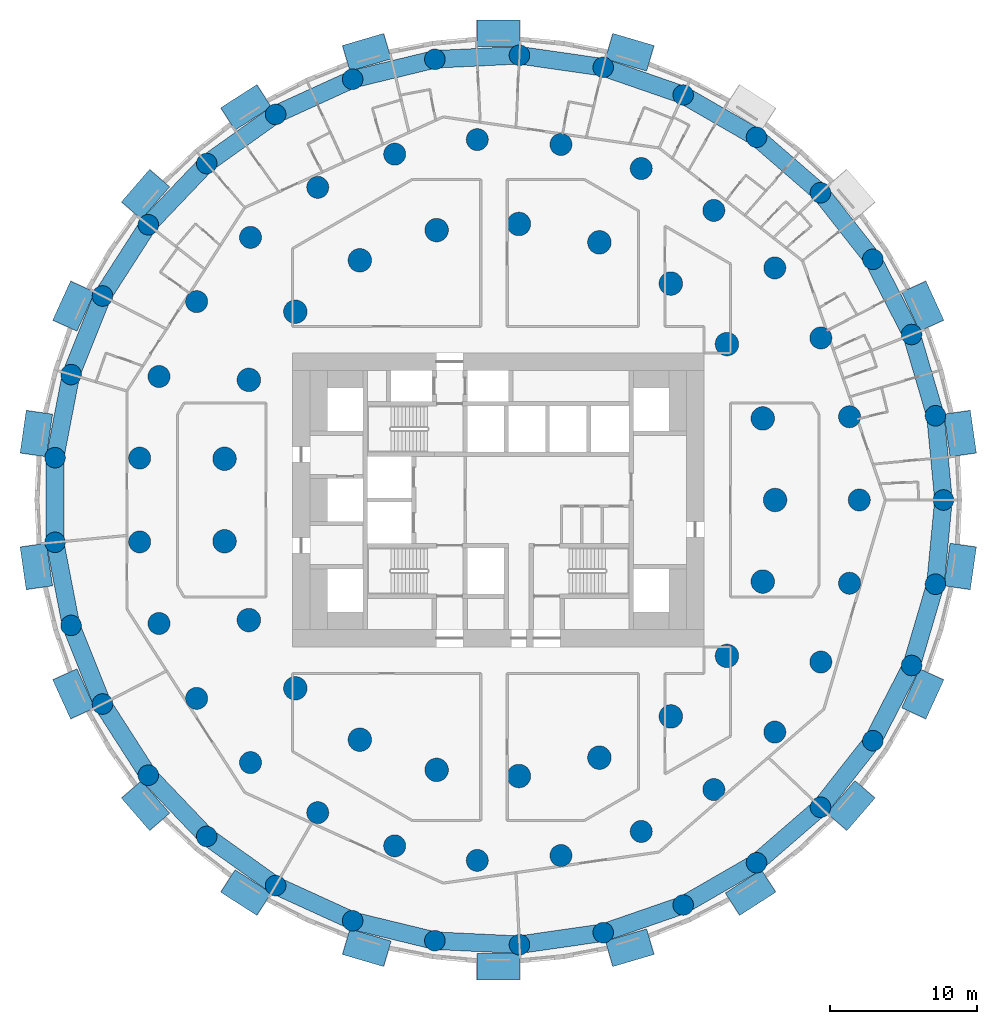
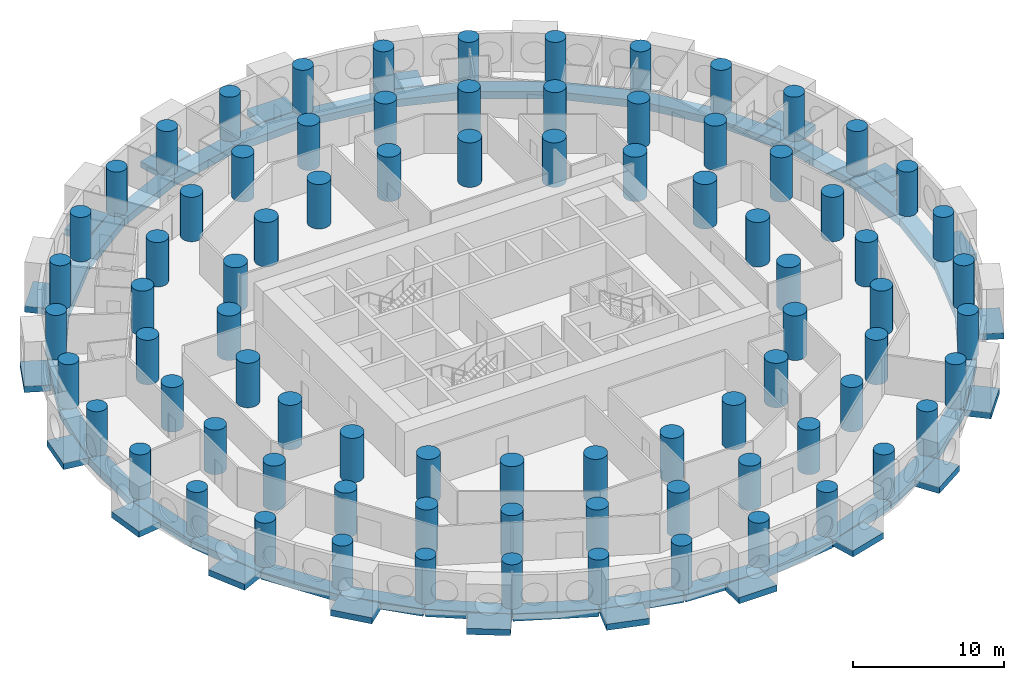
# One storey, part 1 of 12: 81 columns, 53 beams.
"""IFC4 building model written with IfcOpenShell, lengths in metres."""

from ifc_helpers import new_model, si_unit, direction, frame, origin, origin_2d, place, context, subcontext, project, spatial, rectangle, circle, extrude, material, material_profile, profile_set, type_object, element, save


model = new_model("IFC4")

# Units and contexts
model_context = context("Model", 3, precision=1e-05, world=origin(), true_north=direction((0.0, 1.0)))
body_context = subcontext(model_context, "Body", "Model", "MODEL_VIEW")
ifc_project = project(units=[si_unit("LENGTHUNIT", "METRE"), si_unit("AREAUNIT", "SQUARE_METRE"), si_unit("VOLUMEUNIT", "CUBIC_METRE"), si_unit("PLANEANGLEUNIT", "RADIAN"), si_unit("MASSUNIT", "GRAM", prefix="KILO")], contexts=[model_context])

# Site, building, storey
site_placement = place(None, origin())
site = spatial("IfcSite", under=ifc_project, at=site_placement, CompositionType="ELEMENT")
building_placement = place(site_placement, origin())
building = spatial("IfcBuilding", under=site, at=building_placement, Name="Tracery Tower", CompositionType="ELEMENT")
storey_placement = place(building_placement, frame((0.0, 0.0, 46.199951171875)))
storey = spatial("IfcBuildingStorey", under=building, at=storey_placement, Name="L10", CompositionType="ELEMENT", Elevation=46.199951171875)

# Columns
ifc_material_1 = material(Name="Concrete C60/75", Category="concrete")
ifc_material_profile_1 = material_profile(ifc_material_1, circle(Radius=0.699951171875, at=origin_2d()), Name="RC D1400")
ifc_profile_set_1 = profile_set([ifc_material_profile_1], Name="Concrete C60/75")
column_type_1 = type_object("IfcColumnType", Name="Ring 0 column 1400", PredefinedType="COLUMN", material=ifc_profile_set_1)
for number, where, z_axis, x_axis, name in (
    (1, (30.274658203125, 0.0, 0.0), (0.0, 0.0, 1.0), (1.0, 0.0, 0.0), "Ring 0 column 00 at L10"),
    (2, (29.7275390625, 5.7294921875, 0.0), (0.0, 0.0, 1.0), (1.0, 0.0, 0.0), "Ring 0 column 01 at L10"),
    (3, (28.10595703125, 11.251953125, 0.0), (0.0, 0.0, 1.0), (1.0, 0.0, 0.0), "Ring 0 column 02 at L10"),
    (4, (25.468505859375, 16.36767578125, 0.0), (0.0, 0.0, 1.0), (1.0, 0.0, 0.0), "Ring 0 column 03 at L10"),
    (5, (21.910888671875, 20.891845703125, 0.0), (0.0, 0.0, 1.0), (1.0, 0.0, 0.0), "Ring 0 column 04 at L10"),
    (6, (17.56103515625, 24.660888671875, 0.0), (0.0, 0.0, 1.0), (1.0, 0.0, 0.0), "Ring 0 column 05 at L10"),
    (7, (12.576416015625, 27.538818359375, 0.0), (0.0, 0.0, 1.0), (1.0, 0.0, 0.0), "Ring 0 column 06 at L10"),
    (8, (7.137451171875, 29.421142578125, 0.0), (0.0, 0.0, 1.0), (1.0, 0.0, 0.0), "Ring 0 column 07 at L10"),
    (9, (1.4404296875, 30.240234375, 0.0), (0.0, 0.0, 1.0), (1.0, 0.0, 0.0), "Ring 0 column 08 at L10"),
    (10, (-4.30859375, 29.96630859375, 0.0), (0.0, 0.0, 1.0), (1.0, 0.0, 0.0), "Ring 0 column 09 at L10"),
    (11, (-9.90185546875, 28.609619140625, 0.0), (0.0, 0.0, 1.0), (1.0, 0.0, 0.0), "Ring 0 column 10 at L10"),
    (12, (-15.13720703125, 26.218505859375, 0.0), (0.0, 0.0, 1.0), (1.0, 0.0, 0.0), "Ring 0 column 11 at L10"),
    (13, (-19.82568359375, 22.8798828125, 0.0), (0.0, 0.0, 1.0), (1.0, 0.0, 0.0), "Ring 0 column 12 at L10"),
    (14, (-23.79736328125, 18.714599609375, 0.0), (0.0, 0.0, 1.0), (1.0, 0.0, 0.0), "Ring 0 column 13 at L10"),
    (15, (-26.9091796875, 13.87255859375, 0.0), (0.0, 0.0, 1.0), (1.0, 0.0, 0.0), "Ring 0 column 14 at L10"),
    (16, (-29.04833984375, 8.529296875, 0.0), (0.0, 0.0, 1.0), (1.0, 0.0, 0.0), "Ring 0 column 15 at L10"),
    (17, (-30.137451171875, 2.877685546875, 0.0), (0.0, 0.0, 1.0), (1.0, 0.0, 0.0), "Ring 0 column 16 at L10"),
    (18, (-30.137451171875, -2.877685546875, 0.0), (0.0, 0.0, 1.0), (1.0, 0.0, 0.0), "Ring 0 column 17 at L10"),
    (19, (-29.04833984375, -8.529296875, 0.0), (0.0, 0.0, 1.0), (1.0, 0.0, 0.0), "Ring 0 column 18 at L10"),
    (20, (-26.9091796875, -13.87255859375, 0.0), (0.0, 0.0, 1.0), (1.0, 0.0, 0.0), "Ring 0 column 19 at L10"),
    (21, (-23.79736328125, -18.714599609375, 0.0), (0.0, 0.0, 1.0), (1.0, 0.0, 0.0), "Ring 0 column 20 at L10"),
    (22, (-19.82568359375, -22.8798828125, 0.0), (0.0, 0.0, 1.0), (1.0, 0.0, 0.0), "Ring 0 column 21 at L10"),
    (23, (-15.13720703125, -26.218505859375, 0.0), (0.0, 0.0, 1.0), (1.0, 0.0, 0.0), "Ring 0 column 22 at L10"),
    (24, (-9.90185546875, -28.609619140625, 0.0), (0.0, 0.0, 1.0), (1.0, 0.0, 0.0), "Ring 0 column 23 at L10"),
    (25, (-4.30859375, -29.96630859375, 0.0), (0.0, 0.0, 1.0), (1.0, 0.0, 0.0), "Ring 0 column 24 at L10"),
    (26, (1.4404296875, -30.240234375, 0.0), (0.0, 0.0, 1.0), (1.0, 0.0, 0.0), "Ring 0 column 25 at L10"),
    (27, (7.137451171875, -29.421142578125, 0.0), (0.0, 0.0, 1.0), (1.0, 0.0, 0.0), "Ring 0 column 26 at L10"),
    (28, (12.576416015625, -27.538818359375, 0.0), (0.0, 0.0, 1.0), (1.0, 0.0, 0.0), "Ring 0 column 27 at L10"),
    (29, (17.56103515625, -24.660888671875, 0.0), (0.0, 0.0, 1.0), (1.0, 0.0, 0.0), "Ring 0 column 28 at L10"),
    (30, (21.910888671875, -20.891845703125, 0.0), (0.0, 0.0, 1.0), (1.0, 0.0, 0.0), "Ring 0 column 29 at L10"),
    (31, (25.468505859375, -16.36767578125, 0.0), (0.0, 0.0, 1.0), (1.0, 0.0, 0.0), "Ring 0 column 30 at L10"),
    (32, (28.10595703125, -11.251953125, 0.0), (0.0, 0.0, 1.0), (1.0, 0.0, 0.0), "Ring 0 column 31 at L10"),
    (33, (29.7275390625, -5.7294921875, 0.0), (0.0, 0.0, 1.0), (1.0, 0.0, 0.0), "Ring 0 column 32 at L10"),
):
    element("IfcColumn", number, at=place(storey_placement, frame(where, z_axis=z_axis, x_axis=x_axis)), inside=storey, type_object=column_type_1, Name=name, PredefinedType="COLUMN", context=body_context, shape_type="SweptSolid", body=[
        extrude(circle(Radius=0.699951171875, at=origin_2d()), origin(), (0.0, 0.0, 1.0), 3.60009765625),
    ])
ifc_material_2 = material(Name="Concrete C60/75", Category="concrete")
ifc_material_profile_2 = material_profile(ifc_material_2, circle(Radius=0.75, at=origin_2d()), Name="RC D1500")
ifc_profile_set_2 = profile_set([ifc_material_profile_2], Name="Concrete C60/75")
column_type_2 = type_object("IfcColumnType", Name="Ring 1 column 1500", PredefinedType="COLUMN", material=ifc_profile_set_2)
for number, where, z_axis, x_axis, name in (
    (34, (24.547607421875, 0.0, 0.0), (0.0, 0.0, 1.0), (1.0, 0.0, 0.0), "Ring 1 column 00 at L10"),
    (35, (23.885986328125, 5.6611328125, 0.0), (0.0, 0.0, 1.0), (1.0, 0.0, 0.0), "Ring 1 column 01 at L10"),
    (36, (21.9365234375, 11.01708984375, 0.0), (0.0, 0.0, 1.0), (1.0, 0.0, 0.0), "Ring 1 column 02 at L10"),
    (37, (18.8046875, 15.779052734375, 0.0), (0.0, 0.0, 1.0), (1.0, 0.0, 0.0), "Ring 1 column 03 at L10"),
    (38, (14.658935546875, 19.690185546875, 0.0), (0.0, 0.0, 1.0), (1.0, 0.0, 0.0), "Ring 1 column 04 at L10"),
    (39, (9.722900390625, 22.5400390625, 0.0), (0.0, 0.0, 1.0), (1.0, 0.0, 0.0), "Ring 1 column 05 at L10"),
    (40, (4.2626953125, 24.1748046875, 0.0), (0.0, 0.0, 1.0), (1.0, 0.0, 0.0), "Ring 1 column 06 at L10"),
    (41, (-1.42724609375, 24.506103515625, 0.0), (0.0, 0.0, 1.0), (1.0, 0.0, 0.0), "Ring 1 column 07 at L10"),
    (42, (-7.040283203125, 23.516357421875, 0.0), (0.0, 0.0, 1.0), (1.0, 0.0, 0.0), "Ring 1 column 08 at L10"),
    (43, (-12.273681640625, 21.2587890625, 0.0), (0.0, 0.0, 1.0), (1.0, 0.0, 0.0), "Ring 1 column 09 at L10"),
    (44, (-16.845703125, 17.855224609375, 0.0), (0.0, 0.0, 1.0), (1.0, 0.0, 0.0), "Ring 1 column 10 at L10"),
    (45, (-20.50927734375, 13.4892578125, 0.0), (0.0, 0.0, 1.0), (1.0, 0.0, 0.0), "Ring 1 column 11 at L10"),
    (46, (-23.0673828125, 8.395751953125, 0.0), (0.0, 0.0, 1.0), (1.0, 0.0, 0.0), "Ring 1 column 12 at L10"),
    (47, (-24.381591796875, 2.849853515625, 0.0), (0.0, 0.0, 1.0), (1.0, 0.0, 0.0), "Ring 1 column 13 at L10"),
    (48, (-24.381591796875, -2.849853515625, 0.0), (0.0, 0.0, 1.0), (1.0, 0.0, 0.0), "Ring 1 column 14 at L10"),
    (49, (-23.0673828125, -8.395751953125, 0.0), (0.0, 0.0, 1.0), (1.0, 0.0, 0.0), "Ring 1 column 15 at L10"),
    (50, (-20.50927734375, -13.4892578125, 0.0), (0.0, 0.0, 1.0), (1.0, 0.0, 0.0), "Ring 1 column 16 at L10"),
    (51, (-16.845703125, -17.85546875, 0.0), (0.0, 0.0, 1.0), (1.0, 0.0, 0.0), "Ring 1 column 17 at L10"),
    (52, (-12.27392578125, -21.2587890625, 0.0), (0.0, 0.0, 1.0), (1.0, 0.0, 0.0), "Ring 1 column 18 at L10"),
    (53, (-7.040283203125, -23.516357421875, 0.0), (0.0, 0.0, 1.0), (1.0, 0.0, 0.0), "Ring 1 column 19 at L10"),
    (54, (-1.42724609375, -24.506103515625, 0.0), (0.0, 0.0, 1.0), (1.0, 0.0, 0.0), "Ring 1 column 20 at L10"),
    (55, (4.2626953125, -24.1748046875, 0.0), (0.0, 0.0, 1.0), (1.0, 0.0, 0.0), "Ring 1 column 21 at L10"),
    (56, (9.722900390625, -22.5400390625, 0.0), (0.0, 0.0, 1.0), (1.0, 0.0, 0.0), "Ring 1 column 22 at L10"),
    (57, (14.658935546875, -19.690185546875, 0.0), (0.0, 0.0, 1.0), (1.0, 0.0, 0.0), "Ring 1 column 23 at L10"),
    (58, (18.8046875, -15.779052734375, 0.0), (0.0, 0.0, 1.0), (1.0, 0.0, 0.0), "Ring 1 column 24 at L10"),
    (59, (21.9365234375, -11.01708984375, 0.0), (0.0, 0.0, 1.0), (1.0, 0.0, 0.0), "Ring 1 column 25 at L10"),
    (60, (23.885986328125, -5.6611328125, 0.0), (0.0, 0.0, 1.0), (1.0, 0.0, 0.0), "Ring 1 column 26 at L10"),
):
    element("IfcColumn", number, at=place(storey_placement, frame(where, z_axis=z_axis, x_axis=x_axis)), inside=storey, type_object=column_type_2, Name=name, PredefinedType="COLUMN", context=body_context, shape_type="SweptSolid", body=[
        extrude(circle(Radius=0.75, at=origin_2d()), origin(), (0.0, 0.0, 1.0), 3.60009765625),
    ])
ifc_material_3 = material(Name="Concrete C60/75", Category="concrete")
ifc_material_profile_3 = material_profile(ifc_material_3, circle(Radius=0.800048828125, at=origin_2d()), Name="RC D1600")
ifc_profile_set_3 = profile_set([ifc_material_profile_3], Name="Concrete C60/75")
column_type_3 = type_object("IfcColumnType", Name="Ring 2 column 1600", PredefinedType="COLUMN", material=ifc_profile_set_3)
for number, where, z_axis, x_axis, name in (
    (61, (18.822265625, 0.0, 0.0), (0.0, 0.0, 1.0), (1.0, 0.0, 0.0), "Ring 2 column 00 at L10"),
    (62, (17.986083984375, 5.5478515625, 0.0), (0.0, 0.0, 1.0), (1.0, 0.0, 0.0), "Ring 2 column 01 at L10"),
    (63, (15.551513671875, 10.602783203125, 0.0), (0.0, 0.0, 1.0), (1.0, 0.0, 0.0), "Ring 2 column 02 at L10"),
    (64, (11.7353515625, 14.7158203125, 0.0), (0.0, 0.0, 1.0), (1.0, 0.0, 0.0), "Ring 2 column 03 at L10"),
    (65, (6.87646484375, 17.52099609375, 0.0), (0.0, 0.0, 1.0), (1.0, 0.0, 0.0), "Ring 2 column 04 at L10"),
    (66, (1.406494140625, 18.76953125, 0.0), (0.0, 0.0, 1.0), (1.0, 0.0, 0.0), "Ring 2 column 05 at L10"),
    (67, (-4.188232421875, 18.350341796875, 0.0), (0.0, 0.0, 1.0), (1.0, 0.0, 0.0), "Ring 2 column 06 at L10"),
    (68, (-9.4111328125, 16.300537109375, 0.0), (0.0, 0.0, 1.0), (1.0, 0.0, 0.0), "Ring 2 column 07 at L10"),
    (69, (-13.797607421875, 12.802490234375, 0.0), (0.0, 0.0, 1.0), (1.0, 0.0, 0.0), "Ring 2 column 08 at L10"),
    (70, (-16.958251953125, 8.16650390625, 0.0), (0.0, 0.0, 1.0), (1.0, 0.0, 0.0), "Ring 2 column 09 at L10"),
    (71, (-18.612060546875, 2.805419921875, 0.0), (0.0, 0.0, 1.0), (1.0, 0.0, 0.0), "Ring 2 column 10 at L10"),
    (72, (-18.612060546875, -2.805419921875, 0.0), (0.0, 0.0, 1.0), (1.0, 0.0, 0.0), "Ring 2 column 11 at L10"),
    (73, (-16.958251953125, -8.166748046875, 0.0), (0.0, 0.0, 1.0), (1.0, 0.0, 0.0), "Ring 2 column 12 at L10"),
    (74, (-13.797607421875, -12.80224609375, 0.0), (0.0, 0.0, 1.0), (1.0, 0.0, 0.0), "Ring 2 column 13 at L10"),
    (75, (-9.4111328125, -16.300537109375, 0.0), (0.0, 0.0, 1.0), (1.0, 0.0, 0.0), "Ring 2 column 14 at L10"),
    (76, (-4.188232421875, -18.350341796875, 0.0), (0.0, 0.0, 1.0), (1.0, 0.0, 0.0), "Ring 2 column 15 at L10"),
    (77, (1.406494140625, -18.76953125, 0.0), (0.0, 0.0, 1.0), (1.0, 0.0, 0.0), "Ring 2 column 16 at L10"),
    (78, (6.87646484375, -17.52099609375, 0.0), (0.0, 0.0, 1.0), (1.0, 0.0, 0.0), "Ring 2 column 17 at L10"),
    (79, (11.7353515625, -14.7158203125, 0.0), (0.0, 0.0, 1.0), (1.0, 0.0, 0.0), "Ring 2 column 18 at L10"),
    (80, (15.551513671875, -10.602783203125, 0.0), (0.0, 0.0, 1.0), (1.0, 0.0, 0.0), "Ring 2 column 19 at L10"),
    (81, (17.986083984375, -5.5478515625, 0.0), (0.0, 0.0, 1.0), (1.0, 0.0, 0.0), "Ring 2 column 20 at L10"),
):
    element("IfcColumn", number, at=place(storey_placement, frame(where, z_axis=z_axis, x_axis=x_axis)), inside=storey, type_object=column_type_3, Name=name, PredefinedType="COLUMN", context=body_context, shape_type="SweptSolid", body=[
        extrude(circle(Radius=0.800048828125, at=origin_2d()), origin(), (0.0, 0.0, 1.0), 3.60009765625),
    ])

# Beams
ifc_material_4 = material(Name="Concrete C60/75", Category="concrete")
ifc_material_profile_4 = material_profile(ifc_material_4, rectangle(XDim=1.81005859375, YDim=0.5, at=origin_2d()), Name="RC 1810x500")
ifc_profile_set_4 = profile_set([ifc_material_profile_4], Name="Concrete C60/75")
beam_type_1 = type_object("IfcBeamType", Name="Bay seat beam 1810 x 500", PredefinedType="BEAM", material=ifc_profile_set_4)
beam_1_placement = place(storey_placement, frame((31.61865234375, 3.071044921875, -0.699951171875), z_axis=(-0.142299174504, 0.989823693864, 0.0), x_axis=(-0.989823693864, -0.142299174504, 0.0)))
element("IfcBeam", 82, at=beam_1_placement, inside=storey, type_object=beam_type_1, Name="Bay seat beam 2 at L10", PredefinedType="BEAM", context=body_context, shape_type="SweptSolid", body=[
    extrude(rectangle(XDim=1.81005859375, YDim=0.5, at=origin_2d()), origin(), (0.0, 0.0, 1.0), 2.920166015625),
])
beam_2_placement = place(storey_placement, frame((29.47265625, 11.854736328125, -0.699951171875), z_axis=(-0.415396137257, 0.909640615382, 0.0), x_axis=(-0.909640615382, -0.415396137257, 0.0)))
element("IfcBeam", 83, at=beam_2_placement, inside=storey, type_object=beam_type_1, Name="Bay seat beam 5 at L10", PredefinedType="BEAM", context=body_context, shape_type="SweptSolid", body=[
    extrude(rectangle(XDim=1.81005859375, YDim=0.5, at=origin_2d()), origin(), (0.0, 0.0, 1.0), 2.919921875),
])
beam_3_placement = place(storey_placement, frame((10.34130859375, 30.037109375, -0.699951171875), z_axis=(-0.959485235434, 0.281758909325, 0.0), x_axis=(-0.281758909325, -0.959485235434, 0.0)))
element("IfcBeam", 84, at=beam_3_placement, inside=storey, type_object=beam_type_1, Name="Bay seat beam 14 at L10", PredefinedType="BEAM", context=body_context, shape_type="SweptSolid", body=[
    extrude(rectangle(XDim=1.81005859375, YDim=0.5, at=origin_2d()), origin(), (0.0, 0.0, 1.0), 2.920166015625),
])
beam_4_placement = place(storey_placement, frame((1.4599609375, 31.73388671875, -0.699951171875), z_axis=(-1.0, 0.0, 0.0), x_axis=(0.0, -1.0, 0.0)))
element("IfcBeam", 85, at=beam_4_placement, inside=storey, type_object=beam_type_1, Name="Bay seat beam 17 at L10", PredefinedType="BEAM", context=body_context, shape_type="SweptSolid", body=[
    extrude(rectangle(XDim=1.81005859375, YDim=0.5, at=origin_2d()), origin(), (0.0, 0.0, 1.0), 2.919921875),
])
beam_5_placement = place(storey_placement, frame((-7.53955078125, 30.85986328125, -0.699951171875), z_axis=(-0.959485235434, -0.281758909325, 0.0), x_axis=(0.281758909325, -0.959485235434, 0.0)))
element("IfcBeam", 86, at=beam_5_placement, inside=storey, type_object=beam_type_1, Name="Bay seat beam 20 at L10", PredefinedType="BEAM", context=body_context, shape_type="SweptSolid", body=[
    extrude(rectangle(XDim=1.81005859375, YDim=0.5, at=origin_2d()), origin(), (0.0, 0.0, 1.0), 2.920166015625),
])
for number, where, z_axis, x_axis, name in (
    (87, (-15.928466796875, 27.485595703125, -0.699951171875), (-0.84124638673, -0.540651936845, 0.0), (0.540651936845, -0.84124638673, 0.0), "Bay seat beam 23 at L10"),
    (88, (-23.02685546875, 21.884765625, -0.699951171875), (-0.65484458844, -0.755763564212, 0.0), (0.755763564212, -0.65484458844, 0.0), "Bay seat beam 26 at L10"),
    (89, (-28.259765625, 14.5107421875, -0.699951171875), (-0.415396137257, -0.909640615382, 0.0), (0.909640615382, -0.415396137257, 0.0), "Bay seat beam 29 at L10"),
):
    element("IfcBeam", number, at=place(storey_placement, frame(where, z_axis=z_axis, x_axis=x_axis)), inside=storey, type_object=beam_type_1, Name=name, PredefinedType="BEAM", context=body_context, shape_type="SweptSolid", body=[
        extrude(rectangle(XDim=1.81005859375, YDim=0.5, at=origin_2d()), origin(), (0.0, 0.0, 1.0), 2.919921875),
    ])
for number, where, z_axis, x_axis, name in (
    (90, (-31.203125, 5.96142578125, -0.699951171875), (-0.142299174504, -0.989823693864, 0.0), (0.989823693864, -0.142299174504, 0.0), "Bay seat beam 32 at L10"),
    (91, (-31.61865234375, -3.071044921875, -0.699951171875), (0.142299174504, -0.989823693864, 0.0), (0.989823693864, 0.142299174504, 0.0), "Bay seat beam 35 at L10"),
):
    element("IfcBeam", number, at=place(storey_placement, frame(where, z_axis=z_axis, x_axis=x_axis)), inside=storey, type_object=beam_type_1, Name=name, PredefinedType="BEAM", context=body_context, shape_type="SweptSolid", body=[
        extrude(rectangle(XDim=1.81005859375, YDim=0.5, at=origin_2d()), origin(), (0.0, 0.0, 1.0), 2.920166015625),
    ])
for number, where, z_axis, x_axis, name in (
    (92, (-29.47265625, -11.854736328125, -0.699951171875), (0.415396137257, -0.909640615382, 0.0), (0.909640615382, 0.415396137257, 0.0), "Bay seat beam 38 at L10"),
    (93, (-24.93896484375, -19.677978515625, -0.699951171875), (0.65484458844, -0.755763564212, 0.0), (0.755763564212, 0.65484458844, 0.0), "Bay seat beam 41 at L10"),
    (94, (-18.384765625, -25.906982421875, -0.699951171875), (0.84124638673, -0.540651936845, 0.0), (0.540651936845, 0.84124638673, 0.0), "Bay seat beam 44 at L10"),
):
    element("IfcBeam", number, at=place(storey_placement, frame(where, z_axis=z_axis, x_axis=x_axis)), inside=storey, type_object=beam_type_1, Name=name, PredefinedType="BEAM", context=body_context, shape_type="SweptSolid", body=[
        extrude(rectangle(XDim=1.81005859375, YDim=0.5, at=origin_2d()), origin(), (0.0, 0.0, 1.0), 2.919921875),
    ])
beam_6_placement = place(storey_placement, frame((-10.34130859375, -30.037109375, -0.699951171875), z_axis=(0.959485235434, -0.281758909325, 0.0), x_axis=(0.281758909325, 0.959485235434, 0.0)))
element("IfcBeam", 95, at=beam_6_placement, inside=storey, type_object=beam_type_1, Name="Bay seat beam 47 at L10", PredefinedType="BEAM", context=body_context, shape_type="SweptSolid", body=[
    extrude(rectangle(XDim=1.81005859375, YDim=0.5, at=origin_2d()), origin(), (0.0, 0.0, 1.0), 2.920166015625),
])
beam_7_placement = place(storey_placement, frame((-1.4599609375, -31.73388671875, -0.699951171875), z_axis=(1.0, 0.0, 0.0), x_axis=(0.0, 1.0, 0.0)))
element("IfcBeam", 96, at=beam_7_placement, inside=storey, type_object=beam_type_1, Name="Bay seat beam 50 at L10", PredefinedType="BEAM", context=body_context, shape_type="SweptSolid", body=[
    extrude(rectangle(XDim=1.81005859375, YDim=0.5, at=origin_2d()), origin(), (0.0, 0.0, 1.0), 2.919921875),
])
beam_8_placement = place(storey_placement, frame((7.53955078125, -30.85986328125, -0.699951171875), z_axis=(0.959485235434, 0.281758909325, 0.0), x_axis=(-0.281758909325, 0.959485235434, 0.0)))
element("IfcBeam", 97, at=beam_8_placement, inside=storey, type_object=beam_type_1, Name="Bay seat beam 53 at L10", PredefinedType="BEAM", context=body_context, shape_type="SweptSolid", body=[
    extrude(rectangle(XDim=1.81005859375, YDim=0.5, at=origin_2d()), origin(), (0.0, 0.0, 1.0), 2.920166015625),
])
for number, where, z_axis, x_axis, name in (
    (98, (15.928466796875, -27.485595703125, -0.699951171875), (0.84124638673, 0.540651936845, 0.0), (-0.540651936845, 0.84124638673, 0.0), "Bay seat beam 56 at L10"),
    (99, (23.02685546875, -21.884765625, -0.699951171875), (0.65484458844, 0.755763564212, 0.0), (-0.755763564212, 0.65484458844, 0.0), "Bay seat beam 59 at L10"),
    (100, (28.259765625, -14.5107421875, -0.699951171875), (0.415396137257, 0.909640615382, 0.0), (-0.909640615382, 0.415396137257, 0.0), "Bay seat beam 62 at L10"),
):
    element("IfcBeam", number, at=place(storey_placement, frame(where, z_axis=z_axis, x_axis=x_axis)), inside=storey, type_object=beam_type_1, Name=name, PredefinedType="BEAM", context=body_context, shape_type="SweptSolid", body=[
        extrude(rectangle(XDim=1.81005859375, YDim=0.5, at=origin_2d()), origin(), (0.0, 0.0, 1.0), 2.919921875),
    ])
beam_9_placement = place(storey_placement, frame((31.203125, -5.96142578125, -0.699951171875), z_axis=(0.142299174504, 0.989823693864, 0.0), x_axis=(-0.989823693864, 0.142299174504, 0.0)))
element("IfcBeam", 101, at=beam_9_placement, inside=storey, type_object=beam_type_1, Name="Bay seat beam 65 at L10", PredefinedType="BEAM", context=body_context, shape_type="SweptSolid", body=[
    extrude(rectangle(XDim=1.81005859375, YDim=0.5, at=origin_2d()), origin(), (0.0, 0.0, 1.0), 2.920166015625),
])
ifc_material_5 = material(Name="Concrete C60/75", Category="concrete")
ifc_material_profile_5 = material_profile(ifc_material_5, rectangle(XDim=1.199951171875, YDim=0.60009765625, at=origin_2d()), Name="RC 1200x600")
ifc_profile_set_5 = profile_set([ifc_material_profile_5], Name="Concrete C60/75")
beam_type_2 = type_object("IfcBeamType", Name="Perimeter band beam 1200x600", PredefinedType="BEAM", material=ifc_profile_set_5)
for number, where, z_axis, x_axis, name in (
    (102, (30.274658203125, 0.0, -0.75), (-0.095059309677, 0.995471610667, 0.0), (-0.995471610667, -0.095059309677, 0.0), "Perimeter beam 0.00 under L10"),
    (103, (29.7275390625, 5.7294921875, -0.75), (-0.281739145896, 0.959491038869, 0.0), (-0.959491038869, -0.281739145896, 0.0), "Perimeter beam 0.01 under L10"),
    (104, (28.10595703125, 11.251953125, -0.75), (-0.458242010493, 0.88882746347, 0.0), (-0.88882746347, -0.458242010493, 0.0), "Perimeter beam 0.02 under L10"),
):
    element("IfcBeam", number, at=place(storey_placement, frame(where, z_axis=z_axis, x_axis=x_axis)), inside=storey, type_object=beam_type_2, Name=name, PredefinedType="BEAM", context=body_context, shape_type="SweptSolid", body=[
        extrude(rectangle(XDim=1.199951171875, YDim=0.60009765625, at=origin_2d()), origin(), (0.0, 0.0, 1.0), 5.755615234375),
    ])
beam_10_placement = place(storey_placement, frame((25.468505859375, 16.36767578125, -0.75), z_axis=(-0.618134362257, 0.786072458618, 0.0), x_axis=(-0.786072458618, -0.618134362257, 0.0)))
element("IfcBeam", 105, at=beam_10_placement, inside=storey, type_object=beam_type_2, Name="Perimeter beam 0.03 under L10", PredefinedType="BEAM", context=body_context, shape_type="SweptSolid", body=[
    extrude(rectangle(XDim=1.199951171875, YDim=0.60009765625, at=origin_2d()), origin(), (0.0, 0.0, 1.0), 5.75537109375),
])
beam_11_placement = place(storey_placement, frame((21.910888671875, 20.891845703125, -0.75), z_axis=(-0.755760456715, 0.65484817482, 0.0), x_axis=(-0.65484817482, -0.755760456715, 0.0)))
element("IfcBeam", 106, at=beam_11_placement, inside=storey, type_object=beam_type_2, Name="Perimeter beam 0.04 under L10", PredefinedType="BEAM", context=body_context, shape_type="SweptSolid", body=[
    extrude(rectangle(XDim=1.199951171875, YDim=0.60009765625, at=origin_2d()), origin(), (0.0, 0.0, 1.0), 5.755615234375),
])
beam_12_placement = place(storey_placement, frame((17.56103515625, 24.660888671875, -0.75), z_axis=(-0.866021003874, 0.50000762079, 0.0), x_axis=(-0.50000762079, -0.866021003874, 0.0)))
element("IfcBeam", 107, at=beam_12_placement, inside=storey, type_object=beam_type_2, Name="Perimeter beam 0.05 under L10", PredefinedType="BEAM", context=body_context, shape_type="SweptSolid", body=[
    extrude(rectangle(XDim=1.199951171875, YDim=0.60009765625, at=origin_2d()), origin(), (0.0, 0.0, 1.0), 5.755859375),
])
beam_13_placement = place(storey_placement, frame((12.576416015625, 27.538818359375, -0.75), z_axis=(-0.945007252869, 0.327049372458, 0.0), x_axis=(-0.327049372458, -0.945007252869, 0.0)))
element("IfcBeam", 108, at=beam_13_placement, inside=storey, type_object=beam_type_2, Name="Perimeter beam 0.06 under L10", PredefinedType="BEAM", context=body_context, shape_type="SweptSolid", body=[
    extrude(rectangle(XDim=1.199951171875, YDim=0.60009765625, at=origin_2d()), origin(), (0.0, 0.0, 1.0), 5.75537109375),
])
for number, where, z_axis, x_axis, name in (
    (109, (7.137451171875, 29.421142578125, -0.75), (-0.989821839174, 0.142312075013, 0.0), (-0.142312075013, -0.989821839174, 0.0), "Perimeter beam 0.07 under L10"),
    (110, (1.4404296875, 30.240234375, -0.75), (-0.998866793759, -0.047593364303, 0.0), (0.047593364303, -0.998866793759, 0.0), "Perimeter beam 0.08 under L10"),
):
    element("IfcBeam", number, at=place(storey_placement, frame(where, z_axis=z_axis, x_axis=x_axis)), inside=storey, type_object=beam_type_2, Name=name, PredefinedType="BEAM", context=body_context, shape_type="SweptSolid", body=[
        extrude(rectangle(XDim=1.199951171875, YDim=0.60009765625, at=origin_2d()), origin(), (0.0, 0.0, 1.0), 5.755615234375),
    ])
beam_14_placement = place(storey_placement, frame((-4.30859375, 29.96630859375, -0.75), z_axis=(-0.971820371509, -0.235722645328, 0.0), x_axis=(0.235722645328, -0.971820371509, 0.0)))
element("IfcBeam", 111, at=beam_14_placement, inside=storey, type_object=beam_type_2, Name="Perimeter beam 0.09 under L10", PredefinedType="BEAM", context=body_context, shape_type="SweptSolid", body=[
    extrude(rectangle(XDim=1.199951171875, YDim=0.60009765625, at=origin_2d()), origin(), (0.0, 0.0, 1.0), 5.75537109375),
])
for number, where, z_axis, x_axis, name in (
    (112, (-9.90185546875, 28.609619140625, -0.75), (-0.909618316865, -0.415444963411, 0.0), (0.415444963411, -0.909618316865, 0.0), "Perimeter beam 0.10 under L10"),
    (113, (-15.13720703125, 26.218505859375, -0.75), (-0.8145780864, -0.580053912285, 0.0), (0.580053912285, -0.8145780864, 0.0), "Perimeter beam 0.11 under L10"),
):
    element("IfcBeam", number, at=place(storey_placement, frame(where, z_axis=z_axis, x_axis=x_axis)), inside=storey, type_object=beam_type_2, Name=name, PredefinedType="BEAM", context=body_context, shape_type="SweptSolid", body=[
        extrude(rectangle(XDim=1.199951171875, YDim=0.60009765625, at=origin_2d()), origin(), (0.0, 0.0, 1.0), 5.755615234375),
    ])
beam_15_placement = place(storey_placement, frame((-19.82568359375, 22.8798828125, -0.75), z_axis=(-0.690087218267, -0.723726212863, 0.0), x_axis=(0.723726212863, -0.690087218267, 0.0)))
element("IfcBeam", 114, at=beam_15_placement, inside=storey, type_object=beam_type_2, Name="Perimeter beam 0.12 under L10", PredefinedType="BEAM", context=body_context, shape_type="SweptSolid", body=[
    extrude(rectangle(XDim=1.199951171875, YDim=0.60009765625, at=origin_2d()), origin(), (0.0, 0.0, 1.0), 5.75537109375),
])
beam_16_placement = place(storey_placement, frame((-23.79736328125, 18.714599609375, -0.75), z_axis=(-0.540643964602, -0.841251510274, 0.0), x_axis=(0.841251510274, -0.540643964602, 0.0)))
element("IfcBeam", 115, at=beam_16_placement, inside=storey, type_object=beam_type_2, Name="Perimeter beam 0.13 under L10", PredefinedType="BEAM", context=body_context, shape_type="SweptSolid", body=[
    extrude(rectangle(XDim=1.199951171875, YDim=0.60009765625, at=origin_2d()), origin(), (0.0, 0.0, 1.0), 5.755859375),
])
for number, where, z_axis, x_axis, name in (
    (116, (-26.9091796875, 13.87255859375, -0.75), (-0.371668572289, -0.928365484264, 0.0), (0.928365484264, -0.371668572289, 0.0), "Perimeter beam 0.14 under L10"),
    (117, (-29.04833984375, 8.529296875, -0.75), (-0.189226539295, -0.981933458451, 0.0), (0.981933458451, -0.189226539295, 0.0), "Perimeter beam 0.15 under L10"),
):
    element("IfcBeam", number, at=place(storey_placement, frame(where, z_axis=z_axis, x_axis=x_axis)), inside=storey, type_object=beam_type_2, Name=name, PredefinedType="BEAM", context=body_context, shape_type="SweptSolid", body=[
        extrude(rectangle(XDim=1.199951171875, YDim=0.60009765625, at=origin_2d()), origin(), (0.0, 0.0, 1.0), 5.755615234375),
    ])
beam_17_placement = place(storey_placement, frame((-30.137451171875, 2.877685546875, -0.75), z_axis=(0.0, -1.0, 0.0), x_axis=(1.0, 0.0, 0.0)))
element("IfcBeam", 118, at=beam_17_placement, inside=storey, type_object=beam_type_2, Name="Perimeter beam 0.16 under L10", PredefinedType="BEAM", context=body_context, shape_type="SweptSolid", body=[
    extrude(rectangle(XDim=1.199951171875, YDim=0.60009765625, at=origin_2d()), origin(), (0.0, 0.0, 1.0), 5.75537109375),
])
for number, where, z_axis, x_axis, name in (
    (119, (-30.137451171875, -2.877685546875, -0.75), (0.189226539295, -0.981933458451, 0.0), (0.981933458451, 0.189226539295, 0.0), "Perimeter beam 0.17 under L10"),
    (120, (-29.04833984375, -8.529296875, -0.75), (0.371668572289, -0.928365484264, 0.0), (0.928365484264, 0.371668572289, 0.0), "Perimeter beam 0.18 under L10"),
):
    element("IfcBeam", number, at=place(storey_placement, frame(where, z_axis=z_axis, x_axis=x_axis)), inside=storey, type_object=beam_type_2, Name=name, PredefinedType="BEAM", context=body_context, shape_type="SweptSolid", body=[
        extrude(rectangle(XDim=1.199951171875, YDim=0.60009765625, at=origin_2d()), origin(), (0.0, 0.0, 1.0), 5.755615234375),
    ])
beam_18_placement = place(storey_placement, frame((-26.9091796875, -13.87255859375, -0.75), z_axis=(0.540643964602, -0.841251510274, 0.0), x_axis=(0.841251510274, 0.540643964602, 0.0)))
element("IfcBeam", 121, at=beam_18_placement, inside=storey, type_object=beam_type_2, Name="Perimeter beam 0.19 under L10", PredefinedType="BEAM", context=body_context, shape_type="SweptSolid", body=[
    extrude(rectangle(XDim=1.199951171875, YDim=0.60009765625, at=origin_2d()), origin(), (0.0, 0.0, 1.0), 5.755859375),
])
beam_19_placement = place(storey_placement, frame((-23.79736328125, -18.714599609375, -0.75), z_axis=(0.690087218267, -0.723726212863, 0.0), x_axis=(0.723726212863, 0.690087218267, 0.0)))
element("IfcBeam", 122, at=beam_19_placement, inside=storey, type_object=beam_type_2, Name="Perimeter beam 0.20 under L10", PredefinedType="BEAM", context=body_context, shape_type="SweptSolid", body=[
    extrude(rectangle(XDim=1.199951171875, YDim=0.60009765625, at=origin_2d()), origin(), (0.0, 0.0, 1.0), 5.75537109375),
])
for number, where, z_axis, x_axis, name in (
    (123, (-19.82568359375, -22.8798828125, -0.75), (0.8145780864, -0.580053912285, 0.0), (0.580053912285, 0.8145780864, 0.0), "Perimeter beam 0.21 under L10"),
    (124, (-15.13720703125, -26.218505859375, -0.75), (0.909618316865, -0.415444963411, 0.0), (0.415444963411, 0.909618316865, 0.0), "Perimeter beam 0.22 under L10"),
):
    element("IfcBeam", number, at=place(storey_placement, frame(where, z_axis=z_axis, x_axis=x_axis)), inside=storey, type_object=beam_type_2, Name=name, PredefinedType="BEAM", context=body_context, shape_type="SweptSolid", body=[
        extrude(rectangle(XDim=1.199951171875, YDim=0.60009765625, at=origin_2d()), origin(), (0.0, 0.0, 1.0), 5.755615234375),
    ])
beam_20_placement = place(storey_placement, frame((-9.90185546875, -28.609619140625, -0.75), z_axis=(0.971820371509, -0.235722645328, 0.0), x_axis=(0.235722645328, 0.971820371509, 0.0)))
element("IfcBeam", 125, at=beam_20_placement, inside=storey, type_object=beam_type_2, Name="Perimeter beam 0.23 under L10", PredefinedType="BEAM", context=body_context, shape_type="SweptSolid", body=[
    extrude(rectangle(XDim=1.199951171875, YDim=0.60009765625, at=origin_2d()), origin(), (0.0, 0.0, 1.0), 5.75537109375),
])
for number, where, z_axis, x_axis, name in (
    (126, (-4.30859375, -29.96630859375, -0.75), (0.998866793759, -0.047593364303, 0.0), (0.047593364303, 0.998866793759, 0.0), "Perimeter beam 0.24 under L10"),
    (127, (1.4404296875, -30.240234375, -0.75), (0.989821839174, 0.142312075013, 0.0), (-0.142312075013, 0.989821839174, 0.0), "Perimeter beam 0.25 under L10"),
):
    element("IfcBeam", number, at=place(storey_placement, frame(where, z_axis=z_axis, x_axis=x_axis)), inside=storey, type_object=beam_type_2, Name=name, PredefinedType="BEAM", context=body_context, shape_type="SweptSolid", body=[
        extrude(rectangle(XDim=1.199951171875, YDim=0.60009765625, at=origin_2d()), origin(), (0.0, 0.0, 1.0), 5.755615234375),
    ])
beam_21_placement = place(storey_placement, frame((7.137451171875, -29.421142578125, -0.75), z_axis=(0.945007252869, 0.327049372458, 0.0), x_axis=(-0.327049372458, 0.945007252869, 0.0)))
element("IfcBeam", 128, at=beam_21_placement, inside=storey, type_object=beam_type_2, Name="Perimeter beam 0.26 under L10", PredefinedType="BEAM", context=body_context, shape_type="SweptSolid", body=[
    extrude(rectangle(XDim=1.199951171875, YDim=0.60009765625, at=origin_2d()), origin(), (0.0, 0.0, 1.0), 5.75537109375),
])
beam_22_placement = place(storey_placement, frame((12.576416015625, -27.538818359375, -0.75), z_axis=(0.866021003874, 0.50000762079, 0.0), x_axis=(-0.50000762079, 0.866021003874, 0.0)))
element("IfcBeam", 129, at=beam_22_placement, inside=storey, type_object=beam_type_2, Name="Perimeter beam 0.27 under L10", PredefinedType="BEAM", context=body_context, shape_type="SweptSolid", body=[
    extrude(rectangle(XDim=1.199951171875, YDim=0.60009765625, at=origin_2d()), origin(), (0.0, 0.0, 1.0), 5.755859375),
])
beam_23_placement = place(storey_placement, frame((17.56103515625, -24.660888671875, -0.75), z_axis=(0.755760456715, 0.65484817482, 0.0), x_axis=(-0.65484817482, 0.755760456715, 0.0)))
element("IfcBeam", 130, at=beam_23_placement, inside=storey, type_object=beam_type_2, Name="Perimeter beam 0.28 under L10", PredefinedType="BEAM", context=body_context, shape_type="SweptSolid", body=[
    extrude(rectangle(XDim=1.199951171875, YDim=0.60009765625, at=origin_2d()), origin(), (0.0, 0.0, 1.0), 5.755615234375),
])
beam_24_placement = place(storey_placement, frame((21.910888671875, -20.891845703125, -0.75), z_axis=(0.618134362257, 0.786072458618, 0.0), x_axis=(-0.786072458618, 0.618134362257, 0.0)))
element("IfcBeam", 131, at=beam_24_placement, inside=storey, type_object=beam_type_2, Name="Perimeter beam 0.29 under L10", PredefinedType="BEAM", context=body_context, shape_type="SweptSolid", body=[
    extrude(rectangle(XDim=1.199951171875, YDim=0.60009765625, at=origin_2d()), origin(), (0.0, 0.0, 1.0), 5.75537109375),
])
for number, where, z_axis, x_axis, name in (
    (132, (25.468505859375, -16.36767578125, -0.75), (0.458242010493, 0.88882746347, 0.0), (-0.88882746347, 0.458242010493, 0.0), "Perimeter beam 0.30 under L10"),
    (133, (28.10595703125, -11.251953125, -0.75), (0.281739145896, 0.959491038869, 0.0), (-0.959491038869, 0.281739145896, 0.0), "Perimeter beam 0.31 under L10"),
    (134, (29.7275390625, -5.7294921875, -0.75), (0.095059309677, 0.995471610667, 0.0), (-0.995471610667, 0.095059309677, 0.0), "Perimeter beam 0.32 under L10"),
):
    element("IfcBeam", number, at=place(storey_placement, frame(where, z_axis=z_axis, x_axis=x_axis)), inside=storey, type_object=beam_type_2, Name=name, PredefinedType="BEAM", context=body_context, shape_type="SweptSolid", body=[
        extrude(rectangle(XDim=1.199951171875, YDim=0.60009765625, at=origin_2d()), origin(), (0.0, 0.0, 1.0), 5.755615234375),
    ])

save(model, "model.ifc")
